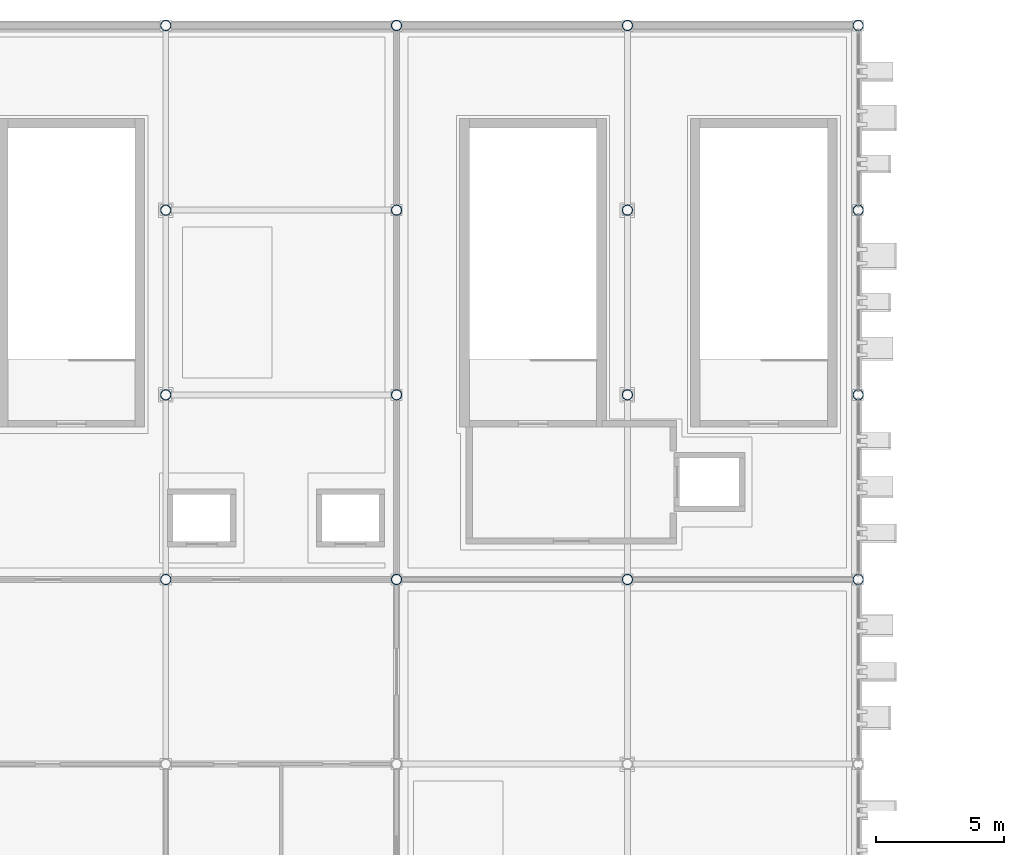
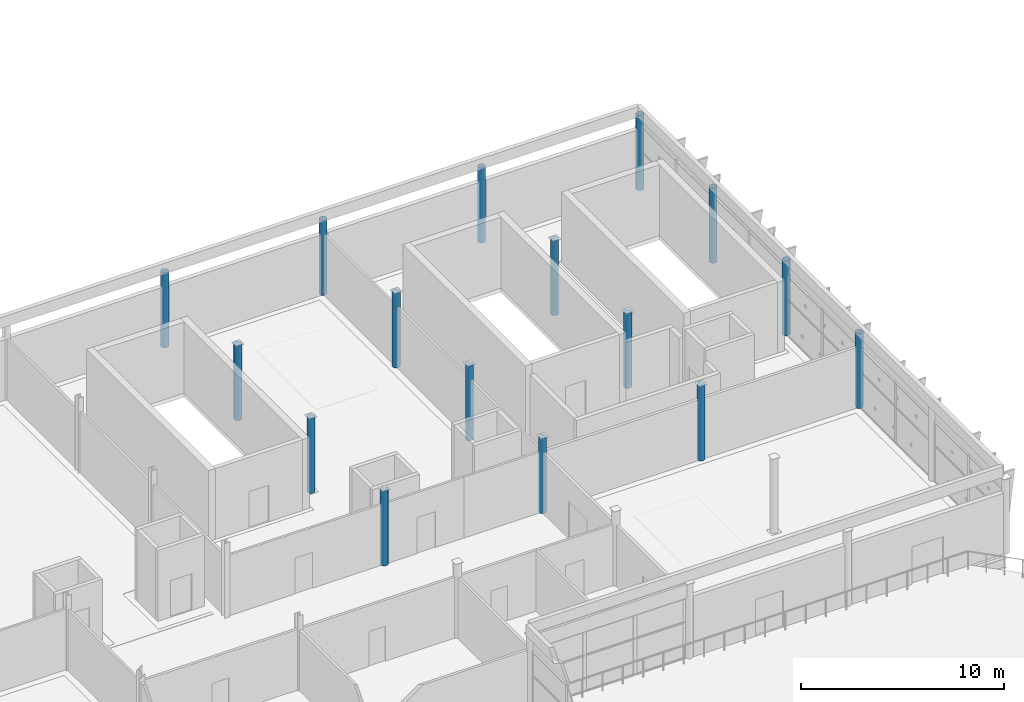
# One storey, part 4 of 52: 16 columns.
"""IFC4 building model written with IfcOpenShell, lengths in metres."""

import ifcopenshell
import ifcopenshell.guid

model = None  # the IFC model being written
_history = None  # IfcOwnerHistory: only IFC2X3 demands one
_inside = {}  # id of a spatial element -> (the spatial element, [elements in it])
_under = {}  # id of a project, library or spatial element -> (it, [spatial elements below it])
_declared = {}  # id of a project -> (the project, [libraries it declares])
_typed = {}  # id of a type object -> (the type object, [elements of that type])
_made_of = {}  # id of a material, layer set ... -> (it, [elements and type objects made of it])


def new_model(schema):
    """Start an empty IFC model of exactly this schema.

    Asked for "IFC4X3", IfcOpenShell would pick the latest addendum, in which some entities
    have other attributes; the version numbers below select the first issue.
    IFC2X3 requires an IfcOwnerHistory on every rooted entity: one is made here for all.
    """
    global model, _history
    if schema == "IFC4X3":
        model = ifcopenshell.file(schema_version=(4, 3, 0, 0))
    else:
        model = ifcopenshell.file(schema=schema)
    _inside.clear()
    _under.clear()
    _declared.clear()
    _typed.clear()
    _made_of.clear()
    _history = None
    if model.schema == "IFC2X3":
        org = make("IfcOrganization", Name="unknown")
        user = make(
            "IfcPersonAndOrganization",
            ThePerson=make("IfcPerson", FamilyName="unknown"),
            TheOrganization=org,
        )
        app = make(
            "IfcApplication",
            ApplicationDeveloper=org,
            Version="unknown",
            ApplicationFullName="unknown",
            ApplicationIdentifier="unknown",
        )
        _history = make(
            "IfcOwnerHistory",
            OwningUser=user,
            OwningApplication=app,
            ChangeAction="ADDED",
            CreationDate=0,
        )
    return model


def make(cls, **values):
    """One entity of the class cls with the attributes given. An attribute that is None is left unset."""
    return model.create_entity(
        cls, **{name: value for name, value in values.items() if value is not None}
    )


def rooted(cls, **values):
    """An entity with a GlobalId (a new one), such as an element, a storey or a relation."""
    return make(cls, GlobalId=ifcopenshell.guid.new(), OwnerHistory=_history, **values)


def si_unit(unit_type, name, prefix=None):
    """IfcSIUnit, for example si_unit("LENGTHUNIT", "METRE", prefix="MILLI")."""
    return make("IfcSIUnit", UnitType=unit_type, Prefix=prefix, Name=name)


def assignment(units):
    """IfcUnitAssignment: the units of a project."""
    return None if units is None else make("IfcUnitAssignment", Units=units)


def point(xyz):
    """IfcCartesianPoint."""
    return None if xyz is None else make("IfcCartesianPoint", Coordinates=xyz)


def direction(xyz):
    """IfcDirection."""
    return None if xyz is None else make("IfcDirection", DirectionRatios=xyz)


def frame(location, z_axis=None, x_axis=None):
    """IfcAxis2Placement3D, a coordinate frame: its origin and axes. An axis left out is left unset."""
    return make(
        "IfcAxis2Placement3D",
        Location=point(location),
        Axis=direction(z_axis),
        RefDirection=direction(x_axis),
    )


def frame_2d(location, x_axis=None):
    """IfcAxis2Placement2D, a coordinate frame in the plane: its origin and x axis."""
    return make(
        "IfcAxis2Placement2D", Location=point(location), RefDirection=direction(x_axis)
    )


def origin():
    """The frame at (0, 0, 0) with its axes left unset."""
    return frame((0.0, 0.0, 0.0))


def origin_2d():
    """The frame at (0, 0) in the plane with its x axis left unset."""
    return frame_2d((0.0, 0.0))


def place(relative_to, where):
    """IfcLocalPlacement: puts the frame where relative to a parent placement (None: the world)."""
    return make(
        "IfcLocalPlacement", PlacementRelTo=relative_to, RelativePlacement=where
    )


def context(
    kind, dimensions, precision=None, world=None, true_north=None, identifier=None
):
    """IfcGeometricRepresentationContext, for example the 3D "Model" context."""
    return make(
        "IfcGeometricRepresentationContext",
        ContextIdentifier=identifier,
        ContextType=kind,
        CoordinateSpaceDimension=dimensions,
        Precision=precision,
        WorldCoordinateSystem=world,
        TrueNorth=true_north,
    )


def subcontext(parent, identifier, kind, view, scale=None):
    """IfcGeometricRepresentationSubContext, for example "Body" below "Model"."""
    return make(
        "IfcGeometricRepresentationSubContext",
        ContextIdentifier=identifier,
        ContextType=kind,
        ParentContext=parent,
        TargetScale=scale,
        TargetView=view,
    )


def project(units=None, contexts=None):
    """IfcProject with its units and contexts."""
    return rooted(
        "IfcProject",
        Name="project",
        RepresentationContexts=contexts,
        UnitsInContext=assignment(units),
    )


def spatial(cls, under=None, at=None, **own):
    """A site, building, storey or space (cls), placed at a placement, below another one or the project."""
    s = rooted(cls, ObjectPlacement=at, **own)
    if under is not None:
        _under.setdefault(under.id(), (under, []))[1].append(s)
    return s


def profile(cls, at=None, kind="AREA", **sizes):
    """A parametric profile (cls). Its sizes go by their IFC names, for example OverallWidth=200.0."""
    return make(cls, ProfileType=kind, Position=at, **sizes)


def hollow_circle(**sizes):
    """IfcCircleHollowProfileDef."""
    return profile("IfcCircleHollowProfileDef", **sizes)


def extrude(swept, where, along, depth):
    """IfcExtrudedAreaSolid: the profile swept, set in the frame where, extruded along a direction by depth."""
    return make(
        "IfcExtrudedAreaSolid",
        SweptArea=swept,
        Position=where,
        ExtrudedDirection=direction(along),
        Depth=depth,
    )


def shape(context_of_items, identifier, shape_type, items):
    """IfcShapeRepresentation: the items that make up one representation, for example the "Body"."""
    return make(
        "IfcShapeRepresentation",
        ContextOfItems=context_of_items,
        RepresentationIdentifier=identifier,
        RepresentationType=shape_type,
        Items=items,
    )


def material(Name=None, Category=None):
    """IfcMaterial."""
    return make("IfcMaterial", Name=Name, Category=Category)


def material_profile(
    of_material, cross_section, Name=None, Category=None, Priority=None
):
    """IfcMaterialProfile: a cross section and its material."""
    return make(
        "IfcMaterialProfile",
        Name=Name,
        Material=of_material,
        Profile=cross_section,
        Priority=Priority,
        Category=Category,
    )


def profile_set(profiles, Name=None, composite=None):
    """IfcMaterialProfileSet."""
    return make(
        "IfcMaterialProfileSet",
        Name=Name,
        MaterialProfiles=profiles,
        CompositeProfile=composite,
    )


def made_of(thing, what):
    """Note that an element or type object is made of a material, layer set ...; save() writes the relation."""
    if what is not None:
        _made_of.setdefault(what.id(), (what, []))[1].append(thing)
    return thing


def type_object(cls, material=None, **own):
    """A type object (cls), such as IfcWallType, which elements share."""
    return made_of(rooted(cls, **own), material)


def element(
    cls,
    number,
    at=None,
    inside=None,
    cuts=None,
    type_object=None,
    material=None,
    context=None,
    identifier="Body",
    shape_type=None,
    held_by="IfcProductDefinitionShape",
    body=None,
    shapes=None,
    **own,
):
    """One element of the class cls, such as IfcWall. Its Tag is "e" and its number.

    at: its placement. inside: the storey or other place that contains it. cuts: it is an
    opening in that element (IfcRelVoidsElement). A single representation is given by context,
    identifier, shape_type and body (its items); several are given by shapes. held_by: the class
    of the entity that holds the representations. save() writes the other relations.
    """
    e = rooted(cls, Tag="e%d" % number, ObjectPlacement=at, **own)
    if body is not None:
        shapes = [shape(context, identifier, shape_type, body)]
    if shapes is not None:
        e.Representation = make(held_by, Representations=shapes)
    if inside is not None:
        _inside.setdefault(inside.id(), (inside, []))[1].append(e)
    if cuts is not None:
        rooted(
            "IfcRelVoidsElement", RelatingBuildingElement=cuts, RelatedOpeningElement=e
        )
    if type_object is not None:
        _typed.setdefault(type_object.id(), (type_object, []))[1].append(e)
    return made_of(e, material)


def aggregate(whole, parts):
    """IfcRelAggregates: a whole, such as a stair, and the parts it consists of."""
    return rooted("IfcRelAggregates", RelatingObject=whole, RelatedObjects=parts)


def save(model, path):
    """Write the relations noted so far, then the file.

    IfcRelAggregates (storeys below a building ...), IfcRelContainedInSpatialStructure (elements
    in a storey), IfcRelDefinesByType, IfcRelAssociatesMaterial and IfcRelDeclares: one each for
    every whole, place, type object, material and project.
    """
    for whole, parts in _under.values():
        aggregate(whole, parts)
    for where, things in _inside.values():
        rooted(
            "IfcRelContainedInSpatialStructure",
            RelatedElements=things,
            RelatingStructure=where,
        )
    for kind, things in _typed.values():
        rooted("IfcRelDefinesByType", RelatedObjects=things, RelatingType=kind)
    for what, things in _made_of.values():
        rooted("IfcRelAssociatesMaterial", RelatedObjects=things, RelatingMaterial=what)
    for by, libraries in _declared.values():
        rooted("IfcRelDeclares", RelatingContext=by, RelatedDefinitions=libraries)
    model.write(path)


model = new_model("IFC4")

# Units and contexts
model_context = context("Model", 3, precision=1e-05, world=origin(), true_north=direction((0.0, 1.0)))
body_context = subcontext(model_context, "Body", "Model", "MODEL_VIEW")
ifc_project = project(units=[si_unit("LENGTHUNIT", "METRE"), si_unit("AREAUNIT", "SQUARE_METRE"), si_unit("VOLUMEUNIT", "CUBIC_METRE"), si_unit("PLANEANGLEUNIT", "RADIAN"), si_unit("MASSUNIT", "GRAM", prefix="KILO")], contexts=[model_context])

# Site, building, storey
site_placement = place(None, origin())
site = spatial("IfcSite", under=ifc_project, at=site_placement, CompositionType="ELEMENT")
building_placement = place(site_placement, origin())
building = spatial("IfcBuilding", under=site, at=building_placement, Name="Celestram Park Convention Centre", CompositionType="ELEMENT")
storey_placement = place(building_placement, frame((0.0, 0.0, 24.300048828125)))
storey = spatial("IfcBuildingStorey", under=building, at=storey_placement, Name="L05", CompositionType="ELEMENT", Elevation=24.300048828125)

# Columns
ifc_material = material(Name="Steel ASTM A500 Grade C", Category="steel")
ifc_material_profile = material_profile(ifc_material, hollow_circle(Radius=0.202880859375, WallThickness=0.013916015625, at=origin_2d()), Name="CHS406X14")
ifc_profile_set = profile_set([ifc_material_profile], Name="Steel ASTM A500 Grade C")
column_type = type_object("IfcColumnType", Name="STR-COL-CHS406", PredefinedType="COLUMN", material=ifc_profile_set)
for number, where, z_axis, x_axis, name in (
    (1, (72.0, 144.0, 0.0), (0.0, 0.0, 1.0), (1.0, 0.0, 0.0), "Column CN-L05-039"),
    (2, (72.0, 151.199951171875, 0.0), (0.0, 0.0, 1.0), (1.0, 0.0, 0.0), "Column CN-L05-040"),
    (3, (72.0, 158.39990234375, 0.0), (0.0, 0.0, 1.0), (1.0, 0.0, 0.0), "Column CN-L05-041"),
    (4, (72.0, 165.60009765625, 0.0), (0.0, 0.0, 1.0), (1.0, 0.0, 0.0), "Column CN-L05-042"),
    (5, (81.0, 144.0, 0.0), (0.0, 0.0, 1.0), (1.0, 0.0, 0.0), "Column CN-L05-045"),
    (6, (81.0, 151.199951171875, 0.0), (0.0, 0.0, 1.0), (1.0, 0.0, 0.0), "Column CN-L05-046"),
    (7, (81.0, 158.39990234375, 0.0), (0.0, 0.0, 1.0), (1.0, 0.0, 0.0), "Column CN-L05-047"),
    (8, (81.0, 165.60009765625, 0.0), (0.0, 0.0, 1.0), (1.0, 0.0, 0.0), "Column CN-L05-048"),
    (9, (90.0, 144.0, 0.0), (0.0, 0.0, 1.0), (1.0, 0.0, 0.0), "Column CN-L05-051"),
    (10, (90.0, 151.199951171875, 0.0), (0.0, 0.0, 1.0), (1.0, 0.0, 0.0), "Column CN-L05-052"),
    (11, (90.0, 158.39990234375, 0.0), (0.0, 0.0, 1.0), (1.0, 0.0, 0.0), "Column CN-L05-053"),
    (12, (90.0, 165.60009765625, 0.0), (0.0, 0.0, 1.0), (1.0, 0.0, 0.0), "Column CN-L05-054"),
    (13, (99.0, 144.0, 0.0), (0.0, 0.0, 1.0), (1.0, 0.0, 0.0), "Column CN-L05-057"),
    (14, (99.0, 151.199951171875, 0.0), (0.0, 0.0, 1.0), (1.0, 0.0, 0.0), "Column CN-L05-058"),
    (15, (99.0, 158.39990234375, 0.0), (0.0, 0.0, 1.0), (1.0, 0.0, 0.0), "Column CN-L05-059"),
    (16, (99.0, 165.60009765625, 0.0), (0.0, 0.0, 1.0), (1.0, 0.0, 0.0), "Column CN-L05-060"),
):
    element("IfcColumn", number, at=place(storey_placement, frame(where, z_axis=z_axis, x_axis=x_axis)), inside=storey, type_object=column_type, Name=name, PredefinedType="COLUMN", context=body_context, shape_type="SweptSolid", body=[
        extrude(hollow_circle(Radius=0.202880859375, WallThickness=0.013916015625, at=origin_2d()), origin(), (0.0, 0.0, 1.0), 4.5),
    ])

save(model, "model.ifc")
